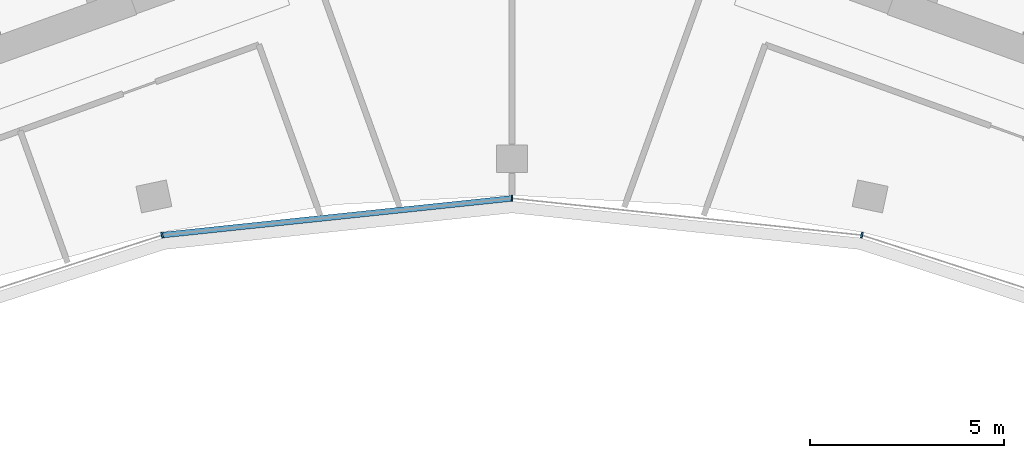
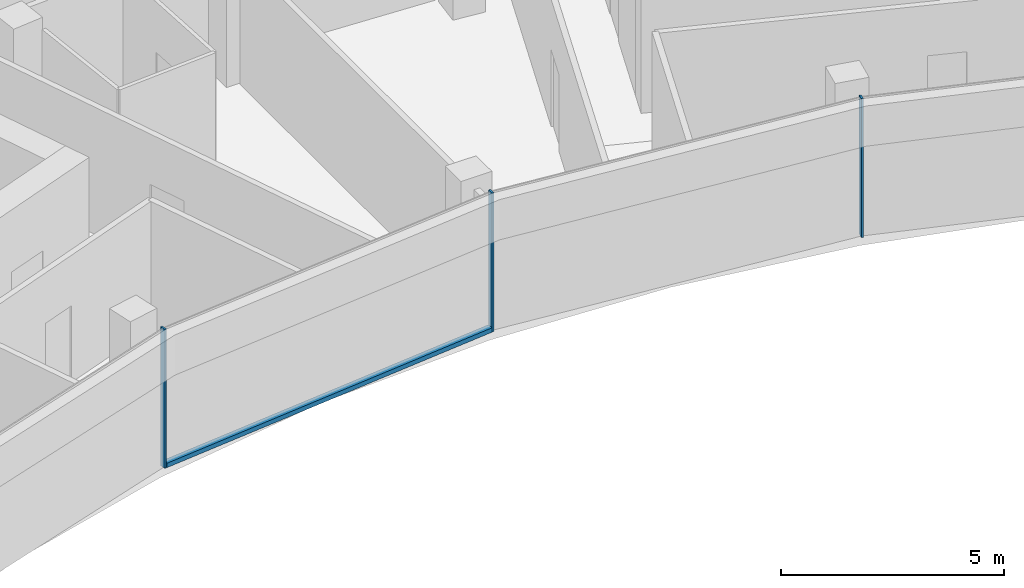
# One storey, part 5 of 18: 4 members, 1 element without a shape of its own.
"""IFC4 building model written with IfcOpenShell, lengths in metres."""

from ifc_helpers import new_model, si_unit, direction, frame, origin, origin_2d, place, context, subcontext, project, spatial, rectangle, extrude, material, layer, layer_set, material_profile, profile_set, type_object, element, aggregate, save


model = new_model("IFC4")

# Units and contexts
model_context = context("Model", 3, precision=1e-05, world=origin(), true_north=direction((0.0, 1.0)))
body_context = subcontext(model_context, "Body", "Model", "MODEL_VIEW")
ifc_project = project(units=[si_unit("LENGTHUNIT", "METRE"), si_unit("AREAUNIT", "SQUARE_METRE"), si_unit("VOLUMEUNIT", "CUBIC_METRE"), si_unit("PLANEANGLEUNIT", "RADIAN"), si_unit("MASSUNIT", "GRAM", prefix="KILO")], contexts=[model_context])

# Site, building, storey
site_placement = place(None, origin())
site = spatial("IfcSite", under=ifc_project, at=site_placement, CompositionType="ELEMENT")
building_placement = place(site_placement, origin())
building = spatial("IfcBuilding", under=site, at=building_placement, Name="Stone Belt Terrace Tower", CompositionType="ELEMENT")
storey_placement = place(building_placement, frame((0.0, 0.0, 288.39990234375)))
storey = spatial("IfcBuildingStorey", under=building, at=storey_placement, Name="L70", CompositionType="ELEMENT", Elevation=288.39990234375)

# Curtain wall, members
ifc_material = material(Name="Aluminium 6063-T6 anodised frame", Category="aluminium")
ifc_layer = layer(ifc_material, 0.14990234375)
ifc_layer_set = layer_set([ifc_layer], Name="CW-B unitised concave-face curtain wall")
curtain_wall_type = type_object("IfcCurtainWallType", Name="CW-B unitised concave-face curtain wall", PredefinedType="NOTDEFINED", material=ifc_layer_set)
curtain_wall_placement = place(storey_placement, origin())
curtain_wall = element("IfcCurtainWall", 1, at=curtain_wall_placement, inside=storey, type_object=curtain_wall_type, Name="CW-B concave face L70", PredefinedType="NOTDEFINED")
ifc_material_profile_1 = material_profile(ifc_material, rectangle(XDim=0.14990234375, YDim=0.050048828125, at=origin_2d()), Name="Aluminium 6063-T6 50x150")
ifc_profile_set_1 = profile_set([ifc_material_profile_1], Name="Aluminium 6063-T6 anodised frame")
member_type_1 = type_object("IfcMemberType", Name="CW-B mullion 50 x 150", PredefinedType="MULLION", material=ifc_profile_set_1)
member_1_placement = place(storey_placement, frame((-9.028564453125, 42.4755859375, 0.0), z_axis=(0.0, 0.0, 1.0), x_axis=(-0.207911690818, 0.978147600734, 0.0)))
member_1 = element("IfcMember", 2, at=member_1_placement, type_object=member_type_1, Name="CW-B mullion 4", PredefinedType="MULLION", context=body_context, shape_type="SweptSolid", body=[
    extrude(rectangle(XDim=0.14990234375, YDim=0.050048828125, at=origin_2d()), origin(), (0.0, 0.0, 1.0), 3.800048828125),
])
member_2_placement = place(storey_placement, frame((0.0, 43.424560546875, 0.0), z_axis=(0.0, 0.0, 1.0), x_axis=(0.0, 1.0, 0.0)))
member_2 = element("IfcMember", 3, at=member_2_placement, type_object=member_type_1, Name="CW-B mullion 5", PredefinedType="MULLION", context=body_context, shape_type="SweptSolid", body=[
    extrude(rectangle(XDim=0.14990234375, YDim=0.050048828125, at=origin_2d()), origin(), (0.0, 0.0, 1.0), 3.800048828125),
])
member_3_placement = place(storey_placement, frame((9.028564453125, 42.4755859375, 0.0), z_axis=(0.0, 0.0, 1.0), x_axis=(0.207911690818, 0.978147600734, 0.0)))
member_3 = element("IfcMember", 4, at=member_3_placement, type_object=member_type_1, Name="CW-B mullion 6", PredefinedType="MULLION", context=body_context, shape_type="SweptSolid", body=[
    extrude(rectangle(XDim=0.14990234375, YDim=0.050048828125, at=origin_2d()), origin(), (0.0, 0.0, 1.0), 3.800048828125),
])
ifc_material_profile_2 = material_profile(ifc_material, rectangle(XDim=0.14990234375, YDim=0.1201171875, at=origin_2d()), Name="Aluminium 6063-T6 150x120")
ifc_profile_set_2 = profile_set([ifc_material_profile_2], Name="Aluminium 6063-T6 anodised frame")
member_type_2 = type_object("IfcMemberType", Name="CW-B transom 120 x 150", PredefinedType="USERDEFINED", material=ifc_profile_set_2)
member_4_placement = place(storey_placement, frame((-8.995849609375, 42.47900390625, 0.06005859375), z_axis=(0.994521323407, 0.104533904969, 0.0), x_axis=(-0.104533904969, 0.994521323407, 0.0)))
member_4 = element("IfcMember", 5, at=member_4_placement, type_object=member_type_2, Name="CW-B transom 4.1", ObjectType="TRANSOM", PredefinedType="USERDEFINED", context=body_context, shape_type="SweptSolid", body=[
    extrude(rectangle(XDim=0.14990234375, YDim=0.1201171875, at=origin_2d()), origin(), (0.0, 0.0, 1.0), 9.0126953125),
])
aggregate(curtain_wall, [member_1, member_2, member_3, member_4])

save(model, "model.ifc")
